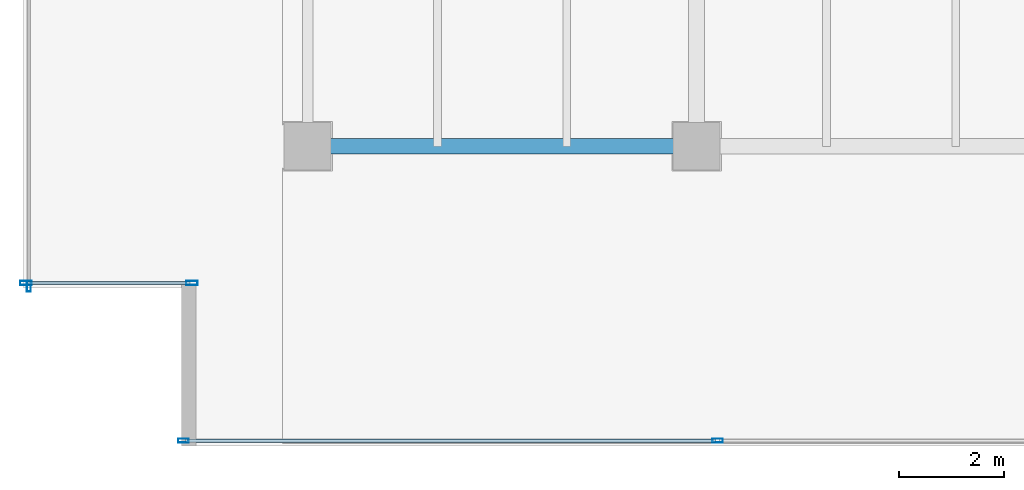
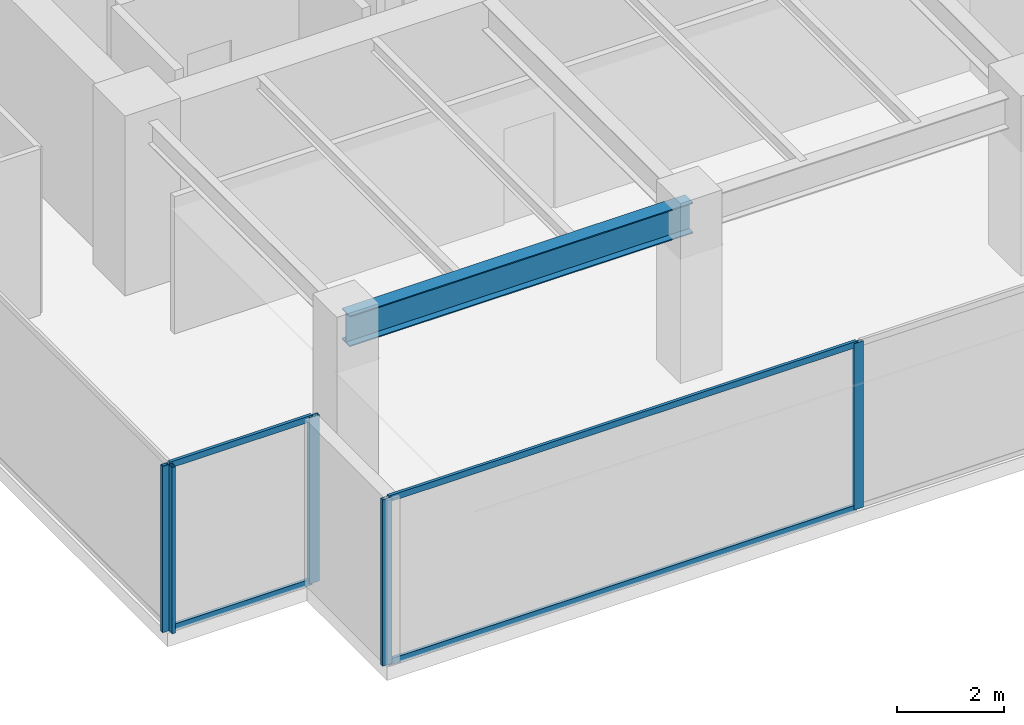
# One storey, part 2 of 33: 9 members, 1 beam, 3 elements without a shape of their own.
"""IFC4 building model written with IfcOpenShell, lengths in metres."""

from ifc_helpers import new_model, si_unit, direction, frame, origin, origin_2d, place, context, subcontext, project, spatial, hollow_rectangle, i_section, extrude, source, transform, mapped, material, layer, layer_set, material_profile, profile_set, type_object, type_shapes, element, aggregate, save


model = new_model("IFC4")

# Units and contexts
model_context = context("Model", 3, precision=1e-05, world=origin(), true_north=direction((0.0, 1.0)))
body_context = subcontext(model_context, "Body", "Model", "MODEL_VIEW")
ifc_project = project(units=[si_unit("LENGTHUNIT", "METRE"), si_unit("AREAUNIT", "SQUARE_METRE"), si_unit("VOLUMEUNIT", "CUBIC_METRE"), si_unit("PLANEANGLEUNIT", "RADIAN"), si_unit("MASSUNIT", "GRAM", prefix="KILO")], contexts=[model_context])

# Site, building, storey
site_placement = place(None, origin())
site = spatial("IfcSite", under=ifc_project, at=site_placement, CompositionType="ELEMENT")
building_placement = place(site_placement, origin())
building = spatial("IfcBuilding", under=site, at=building_placement, Name="Haelvirn Gate Laboratories", CompositionType="ELEMENT")
storey_placement = place(building_placement, frame((0.0, 0.0, 133.800048828125)))
storey = spatial("IfcBuildingStorey", under=building, at=storey_placement, Name="L32", CompositionType="ELEMENT", Elevation=133.800048828125)

# Beam
ifc_material_1 = material(Name="Steel SM355", Category="steel")
ifc_material_profile_1 = material_profile(ifc_material_1, i_section(OverallWidth=0.300048828125, OverallDepth=0.699951171875, WebThickness=0.012939453125, FlangeThickness=0.02392578125, at=origin_2d()), Name="H-700x300x13x24")
ifc_profile_set_1 = profile_set([ifc_material_profile_1], Name="Steel SM355")
beam_type = type_object("IfcBeamType", Name="BM-G-700", PredefinedType="BEAM", material=ifc_profile_set_1)
shared_shape_1 = source(origin(), body_context, "Body", "SweptSolid", [
    extrude(i_section(OverallWidth=0.300048828125, OverallDepth=0.699951171875, WebThickness=0.012939453125, FlangeThickness=0.02392578125, at=origin_2d()), origin(), (0.0, 0.0, 1.0), 7.400146484375),
])
type_shapes(beam_type, [shared_shape_1])
beam_placement = place(storey_placement, frame((7.39990234375, 7.0, 3.43994140625), z_axis=(1.0, 0.0, 0.0), x_axis=(0.0, 1.0, 0.0)))
element("IfcBeam", 1, at=beam_placement, inside=storey, type_object=beam_type, Name="L32 Primary Girder Y7.0 (7.4-14.8)", PredefinedType="BEAM", context=body_context, shape_type="MappedRepresentation", body=[
    mapped(shared_shape_1, transform((0.0, 0.0, 0.0), scale=1.0)),
])

# Curtain wall, members
ifc_material_2 = material(Name="Anodised bronze unitised aluminium & triple low-E glass", Category="aluminium")
ifc_layer_1 = layer(ifc_material_2, 0.179931640625, Name="CW-SYS-3")
ifc_layer_set_1 = layer_set([ifc_layer_1], Name="Anodised bronze unitised aluminium & triple low-E glass")
curtain_wall_type_1 = type_object("IfcCurtainWallType", Name="CW-SYS-3", PredefinedType="NOTDEFINED", material=ifc_layer_set_1)
curtain_wall_1_placement = place(storey_placement, origin())
curtain_wall_1 = element("IfcCurtainWall", 2, at=curtain_wall_1_placement, inside=storey, type_object=curtain_wall_type_1, Name="L32 Unitised Curtain Wall CW-L32-P0-E00-1", PredefinedType="NOTDEFINED")
ifc_material_3 = material(Name="Extruded aluminium 6063-T6 (anodised bronze)", Category="aluminium")
ifc_material_profile_2 = material_profile(ifc_material_3, hollow_rectangle(XDim=0.06494140625, YDim=0.139892578125, WallThickness=0.00390625, at=origin_2d()), Name="CWT-140x65x4")
ifc_profile_set_2 = profile_set([ifc_material_profile_2], Name="Extruded aluminium 6063-T6 (anodised bronze)")
member_type_1 = type_object("IfcMemberType", Name="CWT-T140", PredefinedType="USERDEFINED", material=ifc_profile_set_2)
shared_shape_2 = source(origin(), body_context, "Body", "SweptSolid", [
    extrude(hollow_rectangle(XDim=0.06494140625, YDim=0.139892578125, WallThickness=0.00390625, at=origin_2d()), origin(), (0.0, 0.0, 1.0), 10.087646484375),
])
member_1_placement = place(storey_placement, frame((5.074951171875, 1.39990234375, 0.032470703125), z_axis=(1.0, 0.0, 0.0), x_axis=(0.0, 1.0, 0.0)))
member_1 = element("IfcMember", 3, at=member_1_placement, type_object=member_type_1, Name="CW3 transom 1.1", ObjectType="TRANSOM", PredefinedType="USERDEFINED", context=body_context, shape_type="MappedRepresentation", body=[
    mapped(shared_shape_2, transform((0.0, 0.0, 0.0), scale=1.0)),
])
member_2_placement = place(storey_placement, frame((5.074951171875, 1.39990234375, 3.757568359375), z_axis=(1.0, 0.0, 0.0), x_axis=(0.0, 1.0, 0.0)))
member_2 = element("IfcMember", 4, at=member_2_placement, type_object=member_type_1, Name="CW3 transom 1.2", ObjectType="TRANSOM", PredefinedType="USERDEFINED", context=body_context, shape_type="MappedRepresentation", body=[
    mapped(shared_shape_2, transform((0.0, 0.0, 0.0), scale=1.0)),
])

ifc_layer_2 = layer(ifc_material_2, 0.181884765625, Name="CW-SYS-5")
ifc_layer_set_2 = layer_set([ifc_layer_2], Name="Anodised bronze unitised aluminium & triple low-E glass")
curtain_wall_type_2 = type_object("IfcCurtainWallType", Name="CW-SYS-5", PredefinedType="NOTDEFINED", material=ifc_layer_set_2)
curtain_wall_2_placement = place(storey_placement, origin())
curtain_wall_2 = element("IfcCurtainWall", 5, at=curtain_wall_2_placement, inside=storey, type_object=curtain_wall_type_2, Name="L32 Unitised Curtain Wall CW-L32-P0-E18-1", PredefinedType="NOTDEFINED")
shared_shape_3 = source(origin(), body_context, "Body", "SweptSolid", [
    extrude(hollow_rectangle(XDim=0.06494140625, YDim=0.139892578125, WallThickness=0.00390625, at=origin_2d()), origin(), (0.0, 0.0, 1.0), 3.079833984375),
])
type_shapes(member_type_1, [shared_shape_2, shared_shape_3])
member_3_placement = place(storey_placement, frame((2.080078125, 4.39990234375, 0.032470703125), z_axis=(1.0, 0.0, 0.0), x_axis=(0.0, 1.0, 0.0)))
member_3 = element("IfcMember", 6, at=member_3_placement, type_object=member_type_1, Name="CW5 transom 1.1", ObjectType="TRANSOM", PredefinedType="USERDEFINED", context=body_context, shape_type="MappedRepresentation", body=[
    mapped(shared_shape_3, transform((0.0, 0.0, 0.0), scale=1.0)),
])
member_4_placement = place(storey_placement, frame((2.080078125, 4.39990234375, 3.757568359375), z_axis=(1.0, 0.0, 0.0), x_axis=(0.0, 1.0, 0.0)))
member_4 = element("IfcMember", 7, at=member_4_placement, type_object=member_type_1, Name="CW5 transom 1.2", ObjectType="TRANSOM", PredefinedType="USERDEFINED", context=body_context, shape_type="MappedRepresentation", body=[
    mapped(shared_shape_3, transform((0.0, 0.0, 0.0), scale=1.0)),
])

# Member
ifc_material_profile_3 = material_profile(ifc_material_3, hollow_rectangle(XDim=0.074951171875, YDim=0.199951171875, WallThickness=0.0048828125, at=origin_2d()), Name="CWM-200x75x5")
ifc_profile_set_3 = profile_set([ifc_material_profile_3], Name="Extruded aluminium 6063-T6 (anodised bronze)")
member_type_2 = type_object("IfcMemberType", Name="CWM-T200", PredefinedType="MULLION", material=ifc_profile_set_3)
shared_shape_4 = source(origin(), body_context, "Body", "SweptSolid", [
    extrude(hollow_rectangle(XDim=0.074951171875, YDim=0.199951171875, WallThickness=0.0048828125, at=origin_2d()), origin(), (0.0, 0.0, 1.0), 3.7900390625),
])
type_shapes(member_type_2, [shared_shape_4])
member_5_placement = place(storey_placement, frame((5.03759765625, 1.39990234375, 0.0), z_axis=(0.0, 0.0, 1.0), x_axis=(0.0, 1.0, 0.0)))
member_5 = element("IfcMember", 8, at=member_5_placement, type_object=member_type_2, Name="CW3 mullion 1", PredefinedType="MULLION", context=body_context, shape_type="MappedRepresentation", body=[
    mapped(shared_shape_4, transform((0.0, 0.0, 0.0), scale=1.0)),
])

member_6_placement = place(storey_placement, frame((15.199951171875, 1.39990234375, 0.0), z_axis=(0.0, 0.0, 1.0), x_axis=(0.0, 1.0, 0.0)))
member_6 = element("IfcMember", 9, at=member_6_placement, type_object=member_type_2, Name="CW3 mullion 2", PredefinedType="MULLION", context=body_context, shape_type="MappedRepresentation", body=[
    mapped(shared_shape_4, transform((0.0, 0.0, 0.0), scale=1.0)),
])

aggregate(curtain_wall_1, [member_5, member_6, member_1, member_2])

# Curtain wall, member
curtain_wall_3_placement = place(storey_placement, origin())
curtain_wall_3 = element("IfcCurtainWall", 10, at=curtain_wall_3_placement, inside=storey, type_object=curtain_wall_type_1, Name="L32 Unitised Curtain Wall CW-L32-P0-E17", PredefinedType="NOTDEFINED")
member_7_placement = place(storey_placement, frame((2.10009765625, 4.33740234375, 0.0), z_axis=(0.0, 0.0, 1.0), x_axis=(1.0, 0.0, 0.0)))
member_7 = element("IfcMember", 11, at=member_7_placement, type_object=member_type_2, Name="CW3 mullion 4", PredefinedType="MULLION", context=body_context, shape_type="MappedRepresentation", body=[
    mapped(shared_shape_4, transform((0.0, 0.0, 0.0), scale=1.0)),
])
aggregate(curtain_wall_3, [member_7])

# Member
ifc_material_profile_4 = material_profile(ifc_material_3, hollow_rectangle(XDim=0.080078125, YDim=0.219970703125, WallThickness=0.006103515625, at=origin_2d()), Name="CWM-220x80x6")
ifc_profile_set_4 = profile_set([ifc_material_profile_4], Name="Extruded aluminium 6063-T6 (anodised bronze)")
member_type_3 = type_object("IfcMemberType", Name="CWM-T220", PredefinedType="MULLION", material=ifc_profile_set_4)
shared_shape_5 = source(origin(), body_context, "Body", "SweptSolid", [
    extrude(hollow_rectangle(XDim=0.080078125, YDim=0.219970703125, WallThickness=0.006103515625, at=origin_2d()), origin(), (0.0, 0.0, 1.0), 3.7900390625),
])
type_shapes(member_type_3, [shared_shape_5])
member_8_placement = place(storey_placement, frame((2.0400390625, 4.39990234375, 0.0), z_axis=(0.0, 0.0, 1.0), x_axis=(0.0, 1.0, 0.0)))
member_8 = element("IfcMember", 12, at=member_8_placement, type_object=member_type_3, Name="CW5 mullion 1", PredefinedType="MULLION", context=body_context, shape_type="MappedRepresentation", body=[
    mapped(shared_shape_5, transform((0.0, 0.0, 0.0), scale=1.0)),
])

member_9_placement = place(storey_placement, frame((5.199951171875, 4.39990234375, 0.0), z_axis=(0.0, 0.0, 1.0), x_axis=(0.0, 1.0, 0.0)))
member_9 = element("IfcMember", 13, at=member_9_placement, type_object=member_type_3, Name="CW5 mullion 2", PredefinedType="MULLION", context=body_context, shape_type="MappedRepresentation", body=[
    mapped(shared_shape_5, transform((0.0, 0.0, 0.0), scale=1.0)),
])

aggregate(curtain_wall_2, [member_8, member_9, member_3, member_4])

save(model, "model.ifc")
